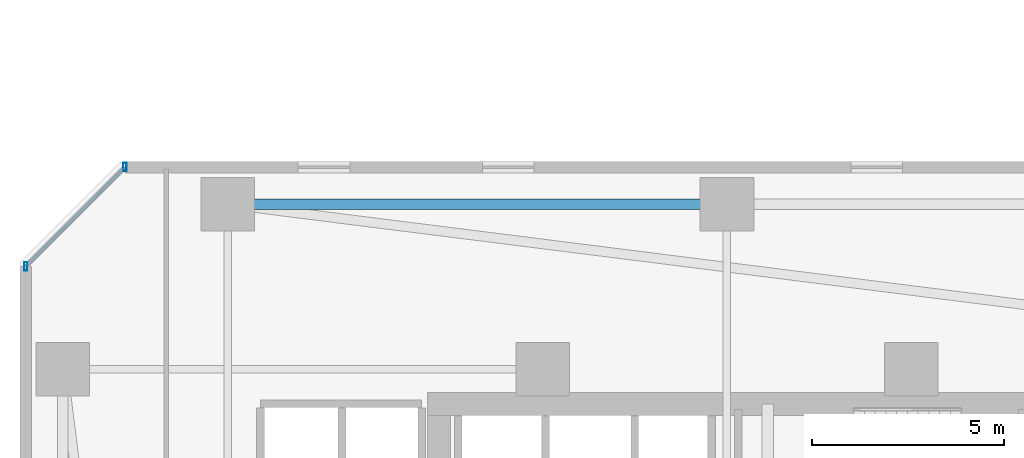
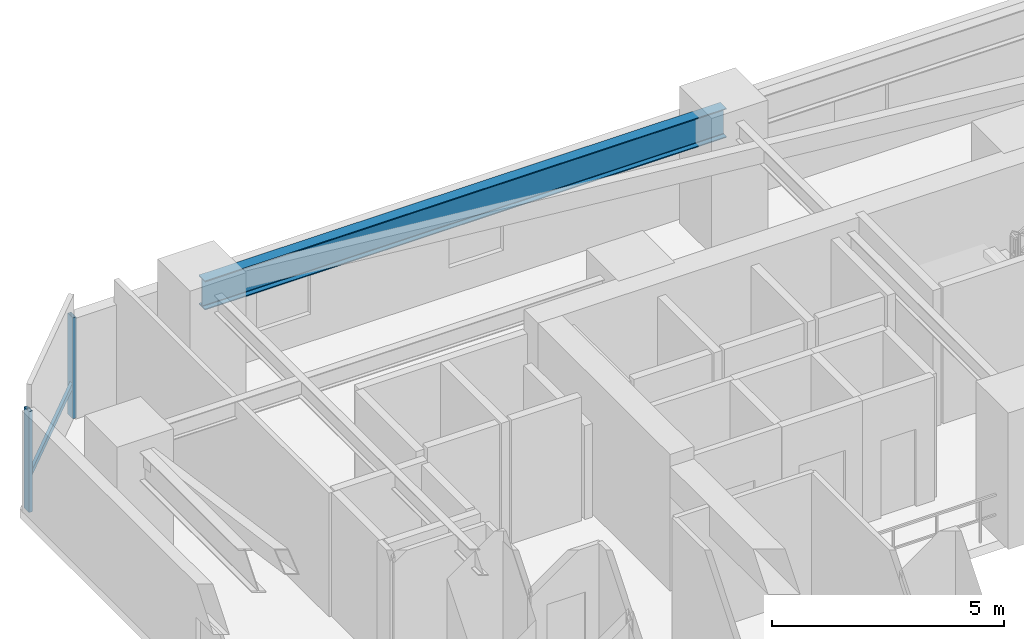
# One storey, part 8 of 36: 3 members, 1 beam, 1 element without a shape of its own.
"""IFC4 building model written with IfcOpenShell, lengths in metres."""

from ifc_helpers import new_model, si_unit, direction, frame, origin, origin_2d, place, context, subcontext, project, spatial, hollow_rectangle, i_section, extrude, material, material_profile, profile_set, type_object, element, aggregate, save


model = new_model("IFC4")

# Units and contexts
model_context = context("Model", 3, precision=1e-05, world=origin(), true_north=direction((0.0, 1.0)))
body_context = subcontext(model_context, "Body", "Model", "MODEL_VIEW")
ifc_project = project(units=[si_unit("LENGTHUNIT", "METRE"), si_unit("AREAUNIT", "SQUARE_METRE"), si_unit("VOLUMEUNIT", "CUBIC_METRE"), si_unit("PLANEANGLEUNIT", "RADIAN"), si_unit("MASSUNIT", "GRAM", prefix="KILO")], contexts=[model_context])

# Site, building, storey
site_placement = place(None, origin())
site = spatial("IfcSite", under=ifc_project, at=site_placement, CompositionType="ELEMENT")
building_placement = place(site_placement, origin())
building = spatial("IfcBuilding", under=site, at=building_placement, Name="Thornwick Lancets Civic Towers", CompositionType="ELEMENT")
storey_placement = place(building_placement, frame((0.0, 0.0, 68.10009765625)))
storey = spatial("IfcBuildingStorey", under=building, at=storey_placement, Name="L17", CompositionType="ELEMENT", Elevation=68.10009765625)

# Beam
ifc_material_1 = material(Name="Steel S355JR", Category="steel")
ifc_material_profile_1 = material_profile(ifc_material_1, i_section(OverallWidth=0.26806640625, OverallDepth=0.769775390625, WebThickness=0.015625, FlangeThickness=0.025390625, FilletRadius=0.0166015625, at=origin_2d()), Name="UKB 762x267x197")
ifc_profile_set_1 = profile_set([ifc_material_profile_1], Name="Steel S355JR")
beam_type = type_object("IfcBeamType", Name="BM_GIRD_762_197", PredefinedType="BEAM", material=ifc_profile_set_1)
beam_placement = place(storey_placement, frame((12.5, 44.300048828125, 2.89501953125), z_axis=(1.0, 0.0, 0.0), x_axis=(0.0, 1.0, 0.0)))
element("IfcBeam", 1, at=beam_placement, inside=storey, type_object=beam_type, Name="BM-SPINE-L17-A-6-7", PredefinedType="BEAM", context=body_context, shape_type="SweptSolid", body=[
    extrude(i_section(OverallWidth=0.26806640625, OverallDepth=0.769775390625, WebThickness=0.015625, FlangeThickness=0.025390625, FilletRadius=0.0166015625, at=origin_2d()), origin(), (0.0, 0.0, 1.0), 13.0),
])

# Curtain wall, members
ifc_material_2 = material(Name="Low-zone chamfered-corner unitised glass curtain wall", Category="glass")
curtain_wall_type = type_object("IfcCurtainWallType", Name="CW_SYS_03", PredefinedType="NOTDEFINED", material=ifc_material_2)
curtain_wall_placement = place(storey_placement, origin())
curtain_wall = element("IfcCurtainWall", 2, at=curtain_wall_placement, inside=storey, type_object=curtain_wall_type, Name="L17 Curtain Wall CW-L17-A-E5", PredefinedType="NOTDEFINED")
ifc_material_3 = material(Name="Thermally broken bronze aluminium S355", Category="steel")
ifc_material_profile_2 = material_profile(ifc_material_3, hollow_rectangle(XDim=0.090087890625, YDim=0.219970703125, WallThickness=0.00634765625, at=origin_2d()), Name="RHS 220x90x6.3")
ifc_profile_set_2 = profile_set([ifc_material_profile_2], Name="Thermally broken bronze aluminium S355")
member_type_1 = type_object("IfcMemberType", Name="CW_MUL_220", PredefinedType="MULLION", material=ifc_profile_set_2)
member_1_placement = place(storey_placement, frame((9.81884765625, 45.264892578125, 0.0), z_axis=(0.0, 0.0, 1.0), x_axis=(1.0, 0.0, 0.0)))
member_1 = element("IfcMember", 3, at=member_1_placement, type_object=member_type_1, Name="CW-L17-A-E5 Mullion 0", PredefinedType="MULLION", context=body_context, shape_type="SweptSolid", body=[
    extrude(hollow_rectangle(XDim=0.090087890625, YDim=0.219970703125, WallThickness=0.00634765625, at=origin_2d()), origin(), (0.0, 0.0, 1.0), 2.659912109375),
])
member_2_placement = place(storey_placement, frame((7.235107421875, 42.68115234375, 0.0), z_axis=(0.0, 0.0, 1.0), x_axis=(1.0, 0.0, 0.0)))
member_2 = element("IfcMember", 4, at=member_2_placement, type_object=member_type_1, Name="CW-L17-A-E5 Mullion 1", PredefinedType="MULLION", context=body_context, shape_type="SweptSolid", body=[
    extrude(hollow_rectangle(XDim=0.090087890625, YDim=0.219970703125, WallThickness=0.00634765625, at=origin_2d()), origin(), (0.0, 0.0, 1.0), 2.659912109375),
])
ifc_material_profile_3 = material_profile(ifc_material_3, hollow_rectangle(XDim=0.074951171875, YDim=0.14990234375, WallThickness=0.0048828125, at=origin_2d()), Name="RHS 150x75x5")
ifc_profile_set_3 = profile_set([ifc_material_profile_3], Name="Thermally broken bronze aluminium S355")
member_type_2 = type_object("IfcMemberType", Name="CW_TRN_150", PredefinedType="USERDEFINED", material=ifc_profile_set_3)
member_3_placement = place(storey_placement, frame((9.8046875, 45.250732421875, 0.849853515625), z_axis=(-0.707106781187, -0.707106781187, 0.0), x_axis=(0.707106781187, -0.707106781187, 0.0)))
member_3 = element("IfcMember", 5, at=member_3_placement, type_object=member_type_2, Name="CW-L17-A-E5 Transom 0", ObjectType="TRANSOM", PredefinedType="USERDEFINED", context=body_context, shape_type="SweptSolid", body=[
    extrude(hollow_rectangle(XDim=0.074951171875, YDim=0.14990234375, WallThickness=0.0048828125, at=origin_2d()), origin(), (0.0, 0.0, 1.0), 3.614013671875),
])
aggregate(curtain_wall, [member_1, member_2, member_3])

save(model, "model.ifc")
